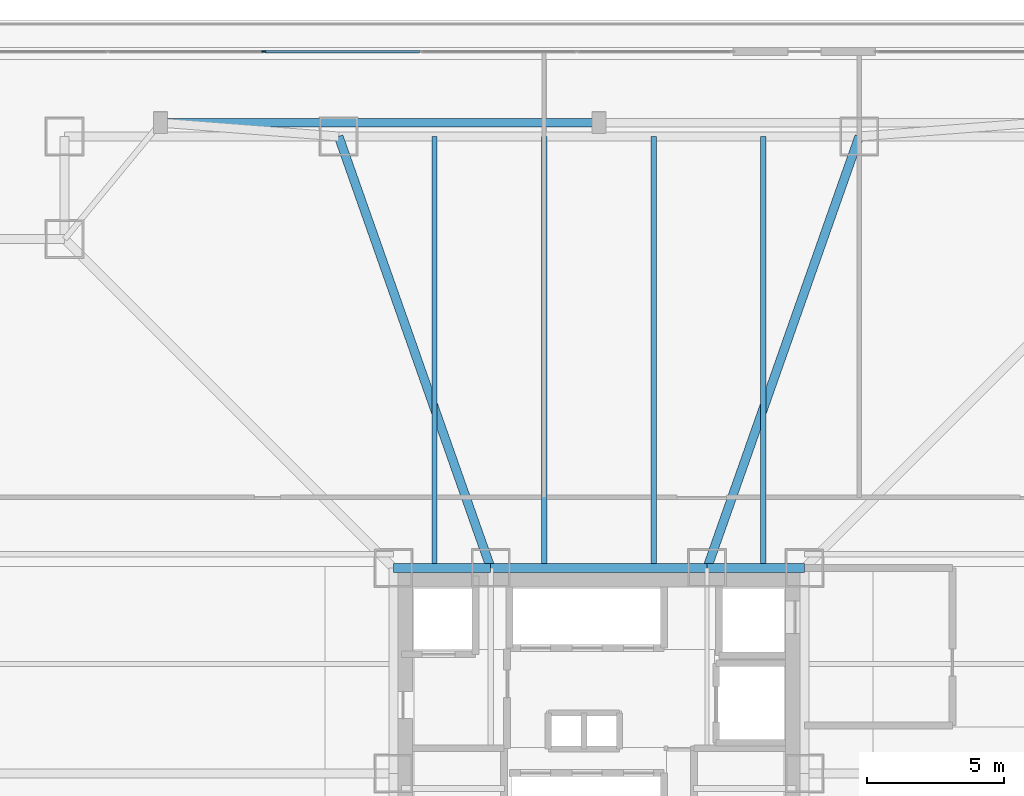
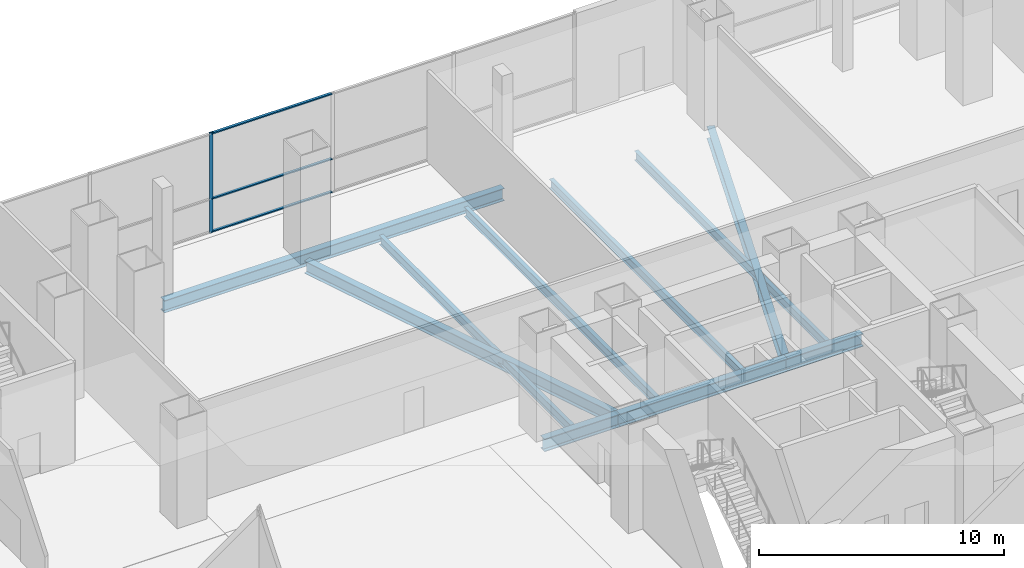
# One storey, part 14 of 35: 10 beams, 4 members, 1 element without a shape of its own.
"""IFC4 building model written with IfcOpenShell, lengths in metres."""

from ifc_helpers import new_model, si_unit, direction, frame, origin, origin_2d, place, context, subcontext, project, spatial, rectangle, i_section, extrude, material, layer, layer_set, material_profile, profile_set, type_object, element, aggregate, save


model = new_model("IFC4")

# Units and contexts
model_context = context("Model", 3, precision=1e-05, world=origin(), true_north=direction((0.0, 1.0)))
body_context = subcontext(model_context, "Body", "Model", "MODEL_VIEW")
ifc_project = project(units=[si_unit("LENGTHUNIT", "METRE"), si_unit("AREAUNIT", "SQUARE_METRE"), si_unit("VOLUMEUNIT", "CUBIC_METRE"), si_unit("PLANEANGLEUNIT", "RADIAN"), si_unit("MASSUNIT", "GRAM", prefix="KILO")], contexts=[model_context])

# Site, building, storey
site_placement = place(None, origin())
site = spatial("IfcSite", under=ifc_project, at=site_placement, CompositionType="ELEMENT")
building_placement = place(site_placement, origin())
building = spatial("IfcBuilding", under=site, at=building_placement, Name="Trevonay Congress Spire", CompositionType="ELEMENT")
storey_placement = place(building_placement, frame((0.0, 0.0, 10.800048828125)))
storey = spatial("IfcBuildingStorey", under=building, at=storey_placement, Name="L02", CompositionType="ELEMENT", Elevation=10.800048828125)

# Beams
ifc_material_1 = material(Name="Steel ASTM A572 Grade 50", Category="steel")
ifc_material_profile_1 = material_profile(ifc_material_1, i_section(OverallWidth=0.324951171875, OverallDepth=0.615966796875, WebThickness=0.013916015625, FlangeThickness=0.021484375, FilletRadius=0.01806640625, at=origin_2d()), Name="W610x174")
ifc_profile_set_1 = profile_set([ifc_material_profile_1], Name="Steel ASTM A572 Grade 50")
beam_type_1 = type_object("IfcBeamType", Name="BM-GIRD-W610X174", PredefinedType="BEAM", material=ifc_profile_set_1)
for number, where, z_axis, x_axis, name in (
    (1, (-3.949951171875, 7.5, -0.7080078125), (-0.332352826786, 0.943155129619, 0.0), (-0.943155129619, -0.332352826786, 0.0), "L02 structural beam BM-L02-RAD-N1"),
    (2, (3.949951171875, 7.5, -0.7080078125), (0.332352826786, 0.943155129619, 0.0), (-0.943155129619, 0.332352826786, 0.0), "L02 structural beam BM-L02-RAD-N2"),
):
    element("IfcBeam", number, at=place(storey_placement, frame(where, z_axis=z_axis, x_axis=x_axis)), inside=storey, type_object=beam_type_1, Name=name, PredefinedType="BEAM", context=body_context, shape_type="SweptSolid", body=[
        extrude(i_section(OverallWidth=0.324951171875, OverallDepth=0.615966796875, WebThickness=0.013916015625, FlangeThickness=0.021484375, FilletRadius=0.01806640625, at=origin_2d()), origin(), (0.0, 0.0, 1.0), 16.69921875),
    ])
beam_1_placement = place(storey_placement, frame((-16.0, 23.75, -0.7080078125), z_axis=(1.0, 0.0, 0.0), x_axis=(0.0, 1.0, 0.0)))
element("IfcBeam", 3, at=beam_1_placement, inside=storey, type_object=beam_type_1, Name="L02 structural beam BM-L02-PIL-N1", PredefinedType="BEAM", context=body_context, shape_type="SweptSolid", body=[
    extrude(i_section(OverallWidth=0.324951171875, OverallDepth=0.615966796875, WebThickness=0.013916015625, FlangeThickness=0.021484375, FilletRadius=0.01806640625, at=origin_2d()), origin(), (0.0, 0.0, 1.0), 16.0),
])
ifc_material_profile_2 = material_profile(ifc_material_1, i_section(OverallWidth=0.3291015625, OverallDepth=0.635009765625, WebThickness=0.017822265625, FlangeThickness=0.031005859375, FilletRadius=0.01806640625, at=origin_2d()), Name="W610x241")
ifc_profile_set_2 = profile_set([ifc_material_profile_2], Name="Steel ASTM A572 Grade 50")
beam_type_2 = type_object("IfcBeamType", Name="BM-GIRD-W610X241", PredefinedType="BEAM", material=ifc_profile_set_2)
beam_2_placement = place(storey_placement, frame((-7.5, 7.5, -0.717529296875), z_axis=(1.0, 0.0, 0.0), x_axis=(0.0, 1.0, 0.0)))
element("IfcBeam", 4, at=beam_2_placement, inside=storey, type_object=beam_type_2, Name="L02 structural beam BM-L02-CR-N1", PredefinedType="BEAM", context=body_context, shape_type="SweptSolid", body=[
    extrude(i_section(OverallWidth=0.3291015625, OverallDepth=0.635009765625, WebThickness=0.017822265625, FlangeThickness=0.031005859375, FilletRadius=0.01806640625, at=origin_2d()), origin(), (0.0, 0.0, 1.0), 3.550048828125),
])
beam_3_placement = place(storey_placement, frame((-3.949951171875, 7.5, -0.717529296875), z_axis=(1.0, 0.0, 0.0), x_axis=(0.0, 1.0, 0.0)))
element("IfcBeam", 5, at=beam_3_placement, inside=storey, type_object=beam_type_2, Name="L02 structural beam BM-L02-CR-N2", PredefinedType="BEAM", context=body_context, shape_type="SweptSolid", body=[
    extrude(i_section(OverallWidth=0.3291015625, OverallDepth=0.635009765625, WebThickness=0.017822265625, FlangeThickness=0.031005859375, FilletRadius=0.01806640625, at=origin_2d()), origin(), (0.0, 0.0, 1.0), 7.89990234375),
])
beam_4_placement = place(storey_placement, frame((3.949951171875, 7.5, -0.717529296875), z_axis=(1.0, 0.0, 0.0), x_axis=(0.0, 1.0, 0.0)))
element("IfcBeam", 6, at=beam_4_placement, inside=storey, type_object=beam_type_2, Name="L02 structural beam BM-L02-CR-N3", PredefinedType="BEAM", context=body_context, shape_type="SweptSolid", body=[
    extrude(i_section(OverallWidth=0.3291015625, OverallDepth=0.635009765625, WebThickness=0.017822265625, FlangeThickness=0.031005859375, FilletRadius=0.01806640625, at=origin_2d()), origin(), (0.0, 0.0, 1.0), 3.550048828125),
])

# Curtain wall, members
ifc_material_2 = material(Name="Pale Anodised Aluminium EN AW-6063-T6", Category="aluminium")
ifc_layer = layer(ifc_material_2, 0.179931640625, Name="Pale Anodised Aluminium EN AW-6063-T6")
ifc_layer_set = layer_set([ifc_layer], Name="Pale Anodised Aluminium EN AW-6063-T6")
curtain_wall_type = type_object("IfcCurtainWallType", Name="CW-SYS01-PODIUM-PALE-METAL", PredefinedType="NOTDEFINED", material=ifc_layer_set)
curtain_wall_placement = place(storey_placement, origin())
curtain_wall = element("IfcCurtainWall", 7, at=curtain_wall_placement, inside=storey, type_object=curtain_wall_type, Name="L02 N1 podium curtain wall", PredefinedType="NOTDEFINED")
ifc_material_profile_3 = material_profile(ifc_material_2, rectangle(XDim=0.06005859375, YDim=0.159912109375, at=origin_2d()), Name="CW-MULLION-160-ALUMINIUM")
ifc_profile_set_3 = profile_set([ifc_material_profile_3], Name="Pale Anodised Aluminium EN AW-6063-T6")
member_type_1 = type_object("IfcMemberType", Name="CW-MULLION-160-ALUMINIUM", PredefinedType="MULLION", material=ifc_profile_set_3)
member_1_placement = place(storey_placement, frame((-12.221435546875, 26.35009765625, 0.0), z_axis=(0.0, 0.0, 1.0), x_axis=(0.0, 1.0, 0.0)))
member_1 = element("IfcMember", 8, at=member_1_placement, type_object=member_type_1, Name="CW01 mullion 5", PredefinedType="MULLION", context=body_context, shape_type="SweptSolid", body=[
    extrude(rectangle(XDim=0.06005859375, YDim=0.159912109375, at=origin_2d()), origin(), (0.0, 0.0, 1.0), 5.0),
])
ifc_material_profile_4 = material_profile(ifc_material_2, rectangle(XDim=0.1201171875, YDim=0.06005859375, at=origin_2d()), Name="CW-TRANSOM-120-ALUMINIUM")
ifc_profile_set_4 = profile_set([ifc_material_profile_4], Name="Pale Anodised Aluminium EN AW-6063-T6")
member_type_2 = type_object("IfcMemberType", Name="CW-TRANSOM-120-ALUMINIUM", PredefinedType="USERDEFINED", material=ifc_profile_set_4)
member_2_placement = place(storey_placement, frame((-12.19140625, 26.35009765625, 0.06005859375), z_axis=(1.0, 0.0, 0.0), x_axis=(0.0, 1.0, 0.0)))
member_2 = element("IfcMember", 9, at=member_2_placement, type_object=member_type_2, Name="CW01 transom 5.1", ObjectType="TRANSOM", PredefinedType="USERDEFINED", context=body_context, shape_type="SweptSolid", body=[
    extrude(rectangle(XDim=0.1201171875, YDim=0.06005859375, at=origin_2d()), origin(), (0.0, 0.0, 1.0), 5.647216796875),
])
member_3_placement = place(storey_placement, frame((-12.19140625, 26.35009765625, 1.699951171875), z_axis=(1.0, 0.0, 0.0), x_axis=(0.0, 1.0, 0.0)))
member_3 = element("IfcMember", 10, at=member_3_placement, type_object=member_type_2, Name="CW01 transom 5.2", ObjectType="TRANSOM", PredefinedType="USERDEFINED", context=body_context, shape_type="SweptSolid", body=[
    extrude(rectangle(XDim=0.1201171875, YDim=0.06005859375, at=origin_2d()), origin(), (0.0, 0.0, 1.0), 5.647216796875),
])
member_4_placement = place(storey_placement, frame((-12.19140625, 26.35009765625, 4.93994140625), z_axis=(1.0, 0.0, 0.0), x_axis=(0.0, 1.0, 0.0)))
member_4 = element("IfcMember", 11, at=member_4_placement, type_object=member_type_2, Name="CW01 transom 5.3", ObjectType="TRANSOM", PredefinedType="USERDEFINED", context=body_context, shape_type="SweptSolid", body=[
    extrude(rectangle(XDim=0.1201171875, YDim=0.06005859375, at=origin_2d()), origin(), (0.0, 0.0, 1.0), 5.647216796875),
])
aggregate(curtain_wall, [member_1, member_2, member_3, member_4])

# Beams
ifc_material_profile_5 = material_profile(ifc_material_1, i_section(OverallWidth=0.18994140625, OverallDepth=0.45703125, WebThickness=0.009033203125, FlangeThickness=0.014404296875, FilletRadius=0.013916015625, at=origin_2d()), Name="W460x74")
ifc_profile_set_5 = profile_set([ifc_material_profile_5], Name="Steel ASTM A572 Grade 50")
beam_type_3 = type_object("IfcBeamType", Name="JS-COMP-W460X74", PredefinedType="JOIST", material=ifc_profile_set_5)
for number, where, z_axis, x_axis, name in (
    (12, (-6.0, 7.5, -0.628662109375), (0.0, 1.0, 0.0), (-1.0, 0.0, 0.0), "L02 structural beam JS-L02-NH1"),
    (13, (-2.0, 7.5, -0.628662109375), (0.0, 1.0, 0.0), (-1.0, 0.0, 0.0), "L02 structural beam JS-L02-NH2"),
    (14, (2.0, 7.5, -0.628662109375), (0.0, 1.0, 0.0), (-1.0, 0.0, 0.0), "L02 structural beam JS-L02-NH3"),
    (15, (6.0, 7.5, -0.628662109375), (0.0, 1.0, 0.0), (-1.0, 0.0, 0.0), "L02 structural beam JS-L02-NH4"),
):
    element("IfcBeam", number, at=place(storey_placement, frame(where, z_axis=z_axis, x_axis=x_axis)), inside=storey, type_object=beam_type_3, Name=name, PredefinedType="JOIST", context=body_context, shape_type="SweptSolid", body=[
        extrude(i_section(OverallWidth=0.18994140625, OverallDepth=0.45703125, WebThickness=0.009033203125, FlangeThickness=0.014404296875, FilletRadius=0.013916015625, at=origin_2d()), origin(), (0.0, 0.0, 1.0), 15.75),
    ])

save(model, "model.ifc")
